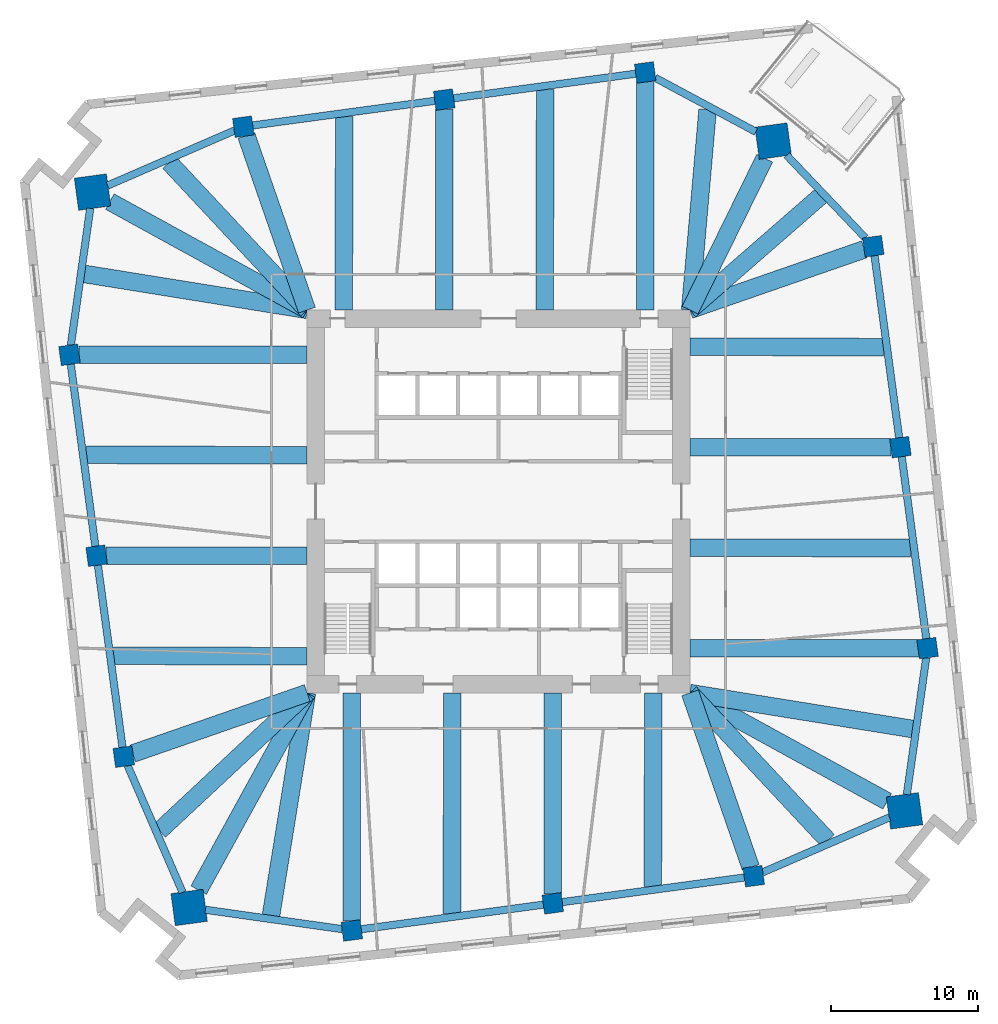
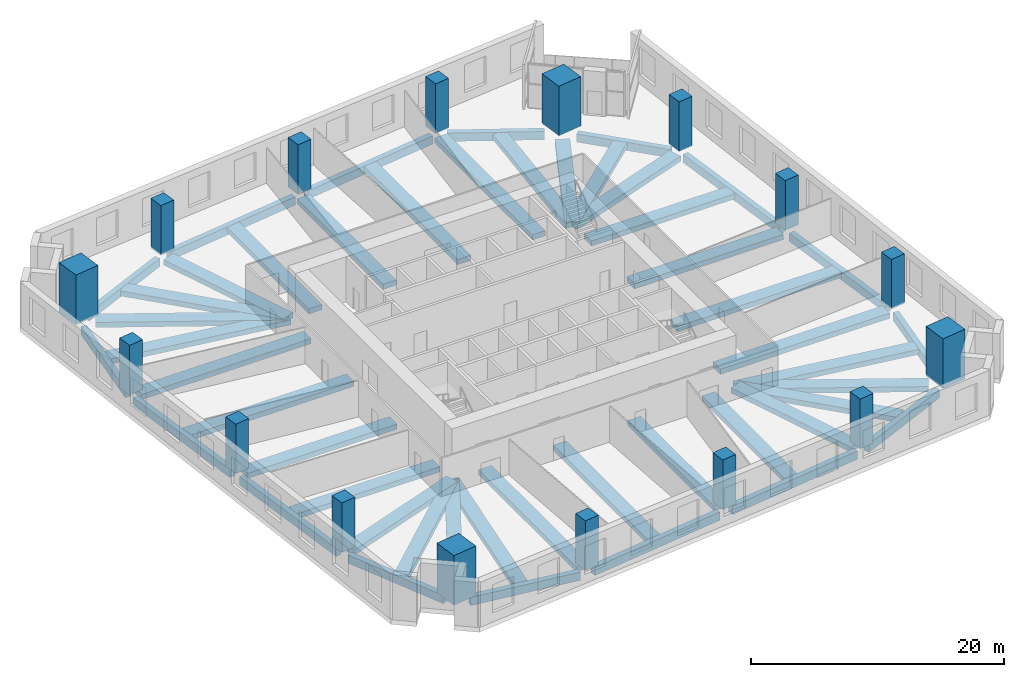
# One storey, part 1 of 10: 48 beams, 16 columns.
"""IFC4 building model written with IfcOpenShell, lengths in metres."""

import ifcopenshell
import ifcopenshell.guid

model = None  # the IFC model being written
_history = None  # IfcOwnerHistory: only IFC2X3 demands one
_inside = {}  # id of a spatial element -> (the spatial element, [elements in it])
_under = {}  # id of a project, library or spatial element -> (it, [spatial elements below it])
_declared = {}  # id of a project -> (the project, [libraries it declares])
_typed = {}  # id of a type object -> (the type object, [elements of that type])
_made_of = {}  # id of a material, layer set ... -> (it, [elements and type objects made of it])


def new_model(schema):
    """Start an empty IFC model of exactly this schema.

    Asked for "IFC4X3", IfcOpenShell would pick the latest addendum, in which some entities
    have other attributes; the version numbers below select the first issue.
    IFC2X3 requires an IfcOwnerHistory on every rooted entity: one is made here for all.
    """
    global model, _history
    if schema == "IFC4X3":
        model = ifcopenshell.file(schema_version=(4, 3, 0, 0))
    else:
        model = ifcopenshell.file(schema=schema)
    _inside.clear()
    _under.clear()
    _declared.clear()
    _typed.clear()
    _made_of.clear()
    _history = None
    if model.schema == "IFC2X3":
        org = make("IfcOrganization", Name="unknown")
        user = make(
            "IfcPersonAndOrganization",
            ThePerson=make("IfcPerson", FamilyName="unknown"),
            TheOrganization=org,
        )
        app = make(
            "IfcApplication",
            ApplicationDeveloper=org,
            Version="unknown",
            ApplicationFullName="unknown",
            ApplicationIdentifier="unknown",
        )
        _history = make(
            "IfcOwnerHistory",
            OwningUser=user,
            OwningApplication=app,
            ChangeAction="ADDED",
            CreationDate=0,
        )
    return model


def make(cls, **values):
    """One entity of the class cls with the attributes given. An attribute that is None is left unset."""
    return model.create_entity(
        cls, **{name: value for name, value in values.items() if value is not None}
    )


def rooted(cls, **values):
    """An entity with a GlobalId (a new one), such as an element, a storey or a relation."""
    return make(cls, GlobalId=ifcopenshell.guid.new(), OwnerHistory=_history, **values)


def si_unit(unit_type, name, prefix=None):
    """IfcSIUnit, for example si_unit("LENGTHUNIT", "METRE", prefix="MILLI")."""
    return make("IfcSIUnit", UnitType=unit_type, Prefix=prefix, Name=name)


def assignment(units):
    """IfcUnitAssignment: the units of a project."""
    return None if units is None else make("IfcUnitAssignment", Units=units)


def point(xyz):
    """IfcCartesianPoint."""
    return None if xyz is None else make("IfcCartesianPoint", Coordinates=xyz)


def direction(xyz):
    """IfcDirection."""
    return None if xyz is None else make("IfcDirection", DirectionRatios=xyz)


def frame(location, z_axis=None, x_axis=None):
    """IfcAxis2Placement3D, a coordinate frame: its origin and axes. An axis left out is left unset."""
    return make(
        "IfcAxis2Placement3D",
        Location=point(location),
        Axis=direction(z_axis),
        RefDirection=direction(x_axis),
    )


def frame_2d(location, x_axis=None):
    """IfcAxis2Placement2D, a coordinate frame in the plane: its origin and x axis."""
    return make(
        "IfcAxis2Placement2D", Location=point(location), RefDirection=direction(x_axis)
    )


def origin():
    """The frame at (0, 0, 0) with its axes left unset."""
    return frame((0.0, 0.0, 0.0))


def origin_2d():
    """The frame at (0, 0) in the plane with its x axis left unset."""
    return frame_2d((0.0, 0.0))


def place(relative_to, where):
    """IfcLocalPlacement: puts the frame where relative to a parent placement (None: the world)."""
    return make(
        "IfcLocalPlacement", PlacementRelTo=relative_to, RelativePlacement=where
    )


def context(
    kind, dimensions, precision=None, world=None, true_north=None, identifier=None
):
    """IfcGeometricRepresentationContext, for example the 3D "Model" context."""
    return make(
        "IfcGeometricRepresentationContext",
        ContextIdentifier=identifier,
        ContextType=kind,
        CoordinateSpaceDimension=dimensions,
        Precision=precision,
        WorldCoordinateSystem=world,
        TrueNorth=true_north,
    )


def subcontext(parent, identifier, kind, view, scale=None):
    """IfcGeometricRepresentationSubContext, for example "Body" below "Model"."""
    return make(
        "IfcGeometricRepresentationSubContext",
        ContextIdentifier=identifier,
        ContextType=kind,
        ParentContext=parent,
        TargetScale=scale,
        TargetView=view,
    )


def project(units=None, contexts=None):
    """IfcProject with its units and contexts."""
    return rooted(
        "IfcProject",
        Name="project",
        RepresentationContexts=contexts,
        UnitsInContext=assignment(units),
    )


def spatial(cls, under=None, at=None, **own):
    """A site, building, storey or space (cls), placed at a placement, below another one or the project."""
    s = rooted(cls, ObjectPlacement=at, **own)
    if under is not None:
        _under.setdefault(under.id(), (under, []))[1].append(s)
    return s


def profile(cls, at=None, kind="AREA", **sizes):
    """A parametric profile (cls). Its sizes go by their IFC names, for example OverallWidth=200.0."""
    return make(cls, ProfileType=kind, Position=at, **sizes)


def rectangle(**sizes):
    """IfcRectangleProfileDef."""
    return profile("IfcRectangleProfileDef", **sizes)


def extrude(swept, where, along, depth):
    """IfcExtrudedAreaSolid: the profile swept, set in the frame where, extruded along a direction by depth."""
    return make(
        "IfcExtrudedAreaSolid",
        SweptArea=swept,
        Position=where,
        ExtrudedDirection=direction(along),
        Depth=depth,
    )


def shape(context_of_items, identifier, shape_type, items):
    """IfcShapeRepresentation: the items that make up one representation, for example the "Body"."""
    return make(
        "IfcShapeRepresentation",
        ContextOfItems=context_of_items,
        RepresentationIdentifier=identifier,
        RepresentationType=shape_type,
        Items=items,
    )


def material(Name=None, Category=None):
    """IfcMaterial."""
    return make("IfcMaterial", Name=Name, Category=Category)


def material_profile(
    of_material, cross_section, Name=None, Category=None, Priority=None
):
    """IfcMaterialProfile: a cross section and its material."""
    return make(
        "IfcMaterialProfile",
        Name=Name,
        Material=of_material,
        Profile=cross_section,
        Priority=Priority,
        Category=Category,
    )


def profile_set(profiles, Name=None, composite=None):
    """IfcMaterialProfileSet."""
    return make(
        "IfcMaterialProfileSet",
        Name=Name,
        MaterialProfiles=profiles,
        CompositeProfile=composite,
    )


def made_of(thing, what):
    """Note that an element or type object is made of a material, layer set ...; save() writes the relation."""
    if what is not None:
        _made_of.setdefault(what.id(), (what, []))[1].append(thing)
    return thing


def type_object(cls, material=None, **own):
    """A type object (cls), such as IfcWallType, which elements share."""
    return made_of(rooted(cls, **own), material)


def element(
    cls,
    number,
    at=None,
    inside=None,
    cuts=None,
    type_object=None,
    material=None,
    context=None,
    identifier="Body",
    shape_type=None,
    held_by="IfcProductDefinitionShape",
    body=None,
    shapes=None,
    **own,
):
    """One element of the class cls, such as IfcWall. Its Tag is "e" and its number.

    at: its placement. inside: the storey or other place that contains it. cuts: it is an
    opening in that element (IfcRelVoidsElement). A single representation is given by context,
    identifier, shape_type and body (its items); several are given by shapes. held_by: the class
    of the entity that holds the representations. save() writes the other relations.
    """
    e = rooted(cls, Tag="e%d" % number, ObjectPlacement=at, **own)
    if body is not None:
        shapes = [shape(context, identifier, shape_type, body)]
    if shapes is not None:
        e.Representation = make(held_by, Representations=shapes)
    if inside is not None:
        _inside.setdefault(inside.id(), (inside, []))[1].append(e)
    if cuts is not None:
        rooted(
            "IfcRelVoidsElement", RelatingBuildingElement=cuts, RelatedOpeningElement=e
        )
    if type_object is not None:
        _typed.setdefault(type_object.id(), (type_object, []))[1].append(e)
    return made_of(e, material)


def aggregate(whole, parts):
    """IfcRelAggregates: a whole, such as a stair, and the parts it consists of."""
    return rooted("IfcRelAggregates", RelatingObject=whole, RelatedObjects=parts)


def save(model, path):
    """Write the relations noted so far, then the file.

    IfcRelAggregates (storeys below a building ...), IfcRelContainedInSpatialStructure (elements
    in a storey), IfcRelDefinesByType, IfcRelAssociatesMaterial and IfcRelDeclares: one each for
    every whole, place, type object, material and project.
    """
    for whole, parts in _under.values():
        aggregate(whole, parts)
    for where, things in _inside.values():
        rooted(
            "IfcRelContainedInSpatialStructure",
            RelatedElements=things,
            RelatingStructure=where,
        )
    for kind, things in _typed.values():
        rooted("IfcRelDefinesByType", RelatedObjects=things, RelatingType=kind)
    for what, things in _made_of.values():
        rooted("IfcRelAssociatesMaterial", RelatedObjects=things, RelatingMaterial=what)
    for by, libraries in _declared.values():
        rooted("IfcRelDeclares", RelatingContext=by, RelatedDefinitions=libraries)
    model.write(path)


model = new_model("IFC4")

# Units and contexts
model_context = context("Model", 3, precision=1e-05, world=origin(), true_north=direction((0.0, 1.0)))
body_context = subcontext(model_context, "Body", "Model", "MODEL_VIEW")
ifc_project = project(units=[si_unit("LENGTHUNIT", "METRE"), si_unit("AREAUNIT", "SQUARE_METRE"), si_unit("VOLUMEUNIT", "CUBIC_METRE"), si_unit("PLANEANGLEUNIT", "RADIAN"), si_unit("MASSUNIT", "GRAM", prefix="KILO")], contexts=[model_context])

# Site, building, storey
site_placement = place(None, origin())
site = spatial("IfcSite", under=ifc_project, at=site_placement, CompositionType="ELEMENT")
building_placement = place(site_placement, origin())
building = spatial("IfcBuilding", under=site, at=building_placement, Name="Dilmun Exchange Tower", CompositionType="ELEMENT")
storey_placement = place(building_placement, frame((0.0, 0.0, 41.699951171875)))
storey = spatial("IfcBuildingStorey", under=building, at=storey_placement, Name="L09", CompositionType="ELEMENT", Elevation=41.699951171875)

# Columns
ifc_material_1 = material(Name="Concrete C80/95", Category="concrete")
ifc_material_profile_1 = material_profile(ifc_material_1, rectangle(XDim=2.199951171875, YDim=2.199951171875, at=origin_2d()), Name="2200 x 2200")
ifc_profile_set_1 = profile_set([ifc_material_profile_1], Name="Concrete C80/95")
column_type_1 = type_object("IfcColumnType", Name="RC mega column 2200 x 2200 C80/95", PredefinedType="COLUMN", material=ifc_profile_set_1)
for number, where, z_axis, x_axis, name in (
    (1, (18.6220703125, 24.43701171875, 0.0), (0.0, 0.0, 1.0), (0.991001197216, 0.133853005627, 0.0), "Mega column M1"),
    (2, (-27.531005859375, 20.97900390625, 0.0), (0.0, 0.0, 1.0), (0.991001197216, 0.133853005627, 0.0), "Mega column M2"),
    (3, (-20.97900390625, -27.531005859375, 0.0), (0.0, 0.0, 1.0), (0.991001197216, 0.133853005627, 0.0), "Mega column M3"),
    (4, (27.531005859375, -20.97900390625, 0.0), (0.0, 0.0, 1.0), (0.991001197216, 0.133853005627, 0.0), "Mega column M4"),
):
    element("IfcColumn", number, at=place(storey_placement, frame(where, z_axis=z_axis, x_axis=x_axis)), inside=storey, type_object=column_type_1, Name=name, PredefinedType="COLUMN", context=body_context, shape_type="SweptSolid", body=[
        extrude(rectangle(XDim=2.199951171875, YDim=2.199951171875, at=origin_2d()), origin(), (0.0, 0.0, 1.0), 4.800048828125),
    ])
ifc_material_profile_2 = material_profile(ifc_material_1, rectangle(XDim=1.300048828125, YDim=1.300048828125, at=origin_2d()), Name="1300 x 1300")
ifc_profile_set_2 = profile_set([ifc_material_profile_2], Name="Concrete C80/95")
column_type_2 = type_object("IfcColumnType", Name="RC ring column 1300 x 1300 C80/95", PredefinedType="COLUMN", material=ifc_profile_set_2)
for number, where, z_axis, x_axis, name in (
    (5, (9.945068359375, 29.093017578125, 0.0), (0.0, 0.0, 1.0), (0.991001197216, 0.133853005627, 0.0), "Ring column R01"),
    (6, (-3.680908203125, 27.2529296875, 0.0), (0.0, 0.0, 1.0), (0.991001197216, 0.133853005627, 0.0), "Ring column R02"),
    (7, (-17.306884765625, 25.412109375, 0.0), (0.0, 0.0, 1.0), (0.991001197216, 0.133853005627, 0.0), "Ring column R03"),
    (8, (-29.093017578125, 9.945068359375, 0.0), (0.0, 0.0, 1.0), (0.991001197216, 0.133853005627, 0.0), "Ring column R04"),
    (9, (-27.2529296875, -3.680908203125, 0.0), (0.0, 0.0, 1.0), (0.991001197216, 0.133853005627, 0.0), "Ring column R05"),
    (10, (-25.412109375, -17.306884765625, 0.0), (0.0, 0.0, 1.0), (0.991001197216, 0.133853005627, 0.0), "Ring column R06"),
    (11, (-9.945068359375, -29.093017578125, 0.0), (0.0, 0.0, 1.0), (0.991001197216, 0.133853005627, 0.0), "Ring column R07"),
    (12, (3.680908203125, -27.2529296875, 0.0), (0.0, 0.0, 1.0), (0.991001197216, 0.133853005627, 0.0), "Ring column R08"),
    (13, (17.306884765625, -25.412109375, 0.0), (0.0, 0.0, 1.0), (0.991001197216, 0.133853005627, 0.0), "Ring column R09"),
    (14, (29.093017578125, -9.945068359375, 0.0), (0.0, 0.0, 1.0), (0.991001197216, 0.133853005627, 0.0), "Ring column R10"),
    (15, (27.2529296875, 3.680908203125, 0.0), (0.0, 0.0, 1.0), (0.991001197216, 0.133853005627, 0.0), "Ring column R11"),
    (16, (25.412109375, 17.306884765625, 0.0), (0.0, 0.0, 1.0), (0.991001197216, 0.133853005627, 0.0), "Ring column R12"),
):
    element("IfcColumn", number, at=place(storey_placement, frame(where, z_axis=z_axis, x_axis=x_axis)), inside=storey, type_object=column_type_2, Name=name, PredefinedType="COLUMN", context=body_context, shape_type="SweptSolid", body=[
        extrude(rectangle(XDim=1.300048828125, YDim=1.300048828125, at=origin_2d()), origin(), (0.0, 0.0, 1.0), 4.800048828125),
    ])

# Beams
ifc_material_2 = material(Name="Concrete C40/50", Category="concrete")
ifc_material_profile_3 = material_profile(ifc_material_2, rectangle(XDim=1.199951171875, YDim=0.5, at=origin_2d()), Name="1200 x 500")
ifc_profile_set_3 = profile_set([ifc_material_profile_3], Name="Concrete C40/50")
beam_type_1 = type_object("IfcBeamType", Name="RC band beam 1200 x 500 C40/50", PredefinedType="BEAM", material=ifc_profile_set_3)
beam_1_placement = place(storey_placement, frame((18.049560546875, 23.272216796875, -0.699951171875), z_axis=(-0.44116009834, -0.897428419225, 0.0), x_axis=(0.897428419225, -0.44116009834, 0.0)))
element("IfcBeam", 17, at=beam_1_placement, inside=storey, type_object=beam_type_1, Name="Band beam 1", PredefinedType="BEAM", context=body_context, shape_type="SweptSolid", body=[
    extrude(rectangle(XDim=1.199951171875, YDim=0.5, at=origin_2d()), origin(), (0.0, 0.0, 1.0), 11.47314453125),
])
beam_2_placement = place(storey_placement, frame((9.945068359375, 28.464111328125, -0.699951171875), z_axis=(0.0, -1.0, 0.0), x_axis=(1.0, 0.0, 0.0)))
element("IfcBeam", 18, at=beam_2_placement, inside=storey, type_object=beam_type_1, Name="Band beam 2", PredefinedType="BEAM", context=body_context, shape_type="SweptSolid", body=[
    extrude(rectangle(XDim=1.199951171875, YDim=0.5, at=origin_2d()), origin(), (0.0, 0.0, 1.0), 15.4912109375),
])
beam_3_placement = place(storey_placement, frame((-3.680908203125, 26.6240234375, -0.699951171875), z_axis=(0.0, -1.0, 0.0), x_axis=(1.0, 0.0, 0.0)))
element("IfcBeam", 19, at=beam_3_placement, inside=storey, type_object=beam_type_1, Name="Band beam 3", PredefinedType="BEAM", context=body_context, shape_type="SweptSolid", body=[
    extrude(rectangle(XDim=1.199951171875, YDim=0.5, at=origin_2d()), origin(), (0.0, 0.0, 1.0), 13.651123046875),
])
beam_4_placement = place(storey_placement, frame((-17.098388671875, 24.81103515625, -0.699951171875), z_axis=(0.327819910959, -0.94474023201, 0.0), x_axis=(0.94474023201, 0.327819910959, 0.0)))
element("IfcBeam", 20, at=beam_4_placement, inside=storey, type_object=beam_type_1, Name="Band beam 4", PredefinedType="BEAM", context=body_context, shape_type="SweptSolid", body=[
    extrude(rectangle(XDim=1.199951171875, YDim=0.5, at=origin_2d()), origin(), (0.0, 0.0, 1.0), 12.52880859375),
])
beam_5_placement = place(storey_placement, frame((-26.355712890625, 20.333740234375, -0.699951171875), z_axis=(0.876547324806, -0.481315683699, 0.0), x_axis=(0.481315683699, 0.876547324806, 0.0)))
element("IfcBeam", 21, at=beam_5_placement, inside=storey, type_object=beam_type_1, Name="Band beam 5", PredefinedType="BEAM", context=body_context, shape_type="SweptSolid", body=[
    extrude(rectangle(XDim=1.199951171875, YDim=0.5, at=origin_2d()), origin(), (0.0, 0.0, 1.0), 15.263671875),
])
beam_6_placement = place(storey_placement, frame((-28.464111328125, 9.945068359375, -0.699951171875), z_axis=(1.0, 0.0, 0.0), x_axis=(0.0, 1.0, 0.0)))
element("IfcBeam", 22, at=beam_6_placement, inside=storey, type_object=beam_type_1, Name="Band beam 6", PredefinedType="BEAM", context=body_context, shape_type="SweptSolid", body=[
    extrude(rectangle(XDim=1.199951171875, YDim=0.5, at=origin_2d()), origin(), (0.0, 0.0, 1.0), 15.4912109375),
])
beam_7_placement = place(storey_placement, frame((-26.6240234375, -3.680908203125, -0.699951171875), z_axis=(1.0, 0.0, 0.0), x_axis=(0.0, 1.0, 0.0)))
element("IfcBeam", 23, at=beam_7_placement, inside=storey, type_object=beam_type_1, Name="Band beam 7", PredefinedType="BEAM", context=body_context, shape_type="SweptSolid", body=[
    extrude(rectangle(XDim=1.199951171875, YDim=0.5, at=origin_2d()), origin(), (0.0, 0.0, 1.0), 13.651123046875),
])
beam_8_placement = place(storey_placement, frame((-24.81103515625, -17.098388671875, -0.699951171875), z_axis=(0.94474023201, 0.327819910959, 0.0), x_axis=(-0.327819910959, 0.94474023201, 0.0)))
element("IfcBeam", 24, at=beam_8_placement, inside=storey, type_object=beam_type_1, Name="Band beam 8", PredefinedType="BEAM", context=body_context, shape_type="SweptSolid", body=[
    extrude(rectangle(XDim=1.199951171875, YDim=0.5, at=origin_2d()), origin(), (0.0, 0.0, 1.0), 12.52880859375),
])
beam_9_placement = place(storey_placement, frame((-20.333740234375, -26.355712890625, -0.699951171875), z_axis=(0.481315683699, 0.876547324806, 0.0), x_axis=(-0.876547324806, 0.481315683699, 0.0)))
element("IfcBeam", 25, at=beam_9_placement, inside=storey, type_object=beam_type_1, Name="Band beam 9", PredefinedType="BEAM", context=body_context, shape_type="SweptSolid", body=[
    extrude(rectangle(XDim=1.199951171875, YDim=0.5, at=origin_2d()), origin(), (0.0, 0.0, 1.0), 15.263671875),
])
beam_10_placement = place(storey_placement, frame((-9.945068359375, -28.464111328125, -0.699951171875), z_axis=(0.0, 1.0, 0.0), x_axis=(-1.0, 0.0, 0.0)))
element("IfcBeam", 26, at=beam_10_placement, inside=storey, type_object=beam_type_1, Name="Band beam 10", PredefinedType="BEAM", context=body_context, shape_type="SweptSolid", body=[
    extrude(rectangle(XDim=1.199951171875, YDim=0.5, at=origin_2d()), origin(), (0.0, 0.0, 1.0), 15.4912109375),
])
beam_11_placement = place(storey_placement, frame((3.680908203125, -26.6240234375, -0.699951171875), z_axis=(0.0, 1.0, 0.0), x_axis=(-1.0, 0.0, 0.0)))
element("IfcBeam", 27, at=beam_11_placement, inside=storey, type_object=beam_type_1, Name="Band beam 11", PredefinedType="BEAM", context=body_context, shape_type="SweptSolid", body=[
    extrude(rectangle(XDim=1.199951171875, YDim=0.5, at=origin_2d()), origin(), (0.0, 0.0, 1.0), 13.651123046875),
])
beam_12_placement = place(storey_placement, frame((17.098388671875, -24.81103515625, -0.699951171875), z_axis=(-0.327819910959, 0.94474023201, 0.0), x_axis=(-0.94474023201, -0.327819910959, 0.0)))
element("IfcBeam", 28, at=beam_12_placement, inside=storey, type_object=beam_type_1, Name="Band beam 12", PredefinedType="BEAM", context=body_context, shape_type="SweptSolid", body=[
    extrude(rectangle(XDim=1.199951171875, YDim=0.5, at=origin_2d()), origin(), (0.0, 0.0, 1.0), 12.52880859375),
])
beam_13_placement = place(storey_placement, frame((26.355712890625, -20.333740234375, -0.699951171875), z_axis=(-0.876547324806, 0.481315683699, 0.0), x_axis=(-0.481315683699, -0.876547324806, 0.0)))
element("IfcBeam", 29, at=beam_13_placement, inside=storey, type_object=beam_type_1, Name="Band beam 13", PredefinedType="BEAM", context=body_context, shape_type="SweptSolid", body=[
    extrude(rectangle(XDim=1.199951171875, YDim=0.5, at=origin_2d()), origin(), (0.0, 0.0, 1.0), 15.263671875),
])
beam_14_placement = place(storey_placement, frame((28.464111328125, -9.945068359375, -0.699951171875), z_axis=(-1.0, 0.0, 0.0), x_axis=(0.0, -1.0, 0.0)))
element("IfcBeam", 30, at=beam_14_placement, inside=storey, type_object=beam_type_1, Name="Band beam 14", PredefinedType="BEAM", context=body_context, shape_type="SweptSolid", body=[
    extrude(rectangle(XDim=1.199951171875, YDim=0.5, at=origin_2d()), origin(), (0.0, 0.0, 1.0), 15.4912109375),
])
beam_15_placement = place(storey_placement, frame((26.6240234375, 3.680908203125, -0.699951171875), z_axis=(-1.0, 0.0, 0.0), x_axis=(0.0, -1.0, 0.0)))
element("IfcBeam", 31, at=beam_15_placement, inside=storey, type_object=beam_type_1, Name="Band beam 15", PredefinedType="BEAM", context=body_context, shape_type="SweptSolid", body=[
    extrude(rectangle(XDim=1.199951171875, YDim=0.5, at=origin_2d()), origin(), (0.0, 0.0, 1.0), 13.651123046875),
])
beam_16_placement = place(storey_placement, frame((24.81103515625, 17.098388671875, -0.699951171875), z_axis=(-0.94474023201, -0.327819910959, 0.0), x_axis=(0.327819910959, -0.94474023201, 0.0)))
element("IfcBeam", 32, at=beam_16_placement, inside=storey, type_object=beam_type_1, Name="Band beam 16", PredefinedType="BEAM", context=body_context, shape_type="SweptSolid", body=[
    extrude(rectangle(XDim=1.199951171875, YDim=0.5, at=origin_2d()), origin(), (0.0, 0.0, 1.0), 12.52880859375),
])
beam_17_placement = place(storey_placement, frame((14.177978515625, 26.568603515625, -0.699951171875), z_axis=(-0.086499148019, -0.996251924662, 0.0), x_axis=(0.996251924662, -0.086499148019, 0.0)))
element("IfcBeam", 33, at=beam_17_placement, inside=storey, type_object=beam_type_1, Name="Band beam 17", PredefinedType="BEAM", context=body_context, shape_type="SweptSolid", body=[
    extrude(rectangle(XDim=1.199951171875, YDim=0.5, at=origin_2d()), origin(), (0.0, 0.0, 1.0), 13.646728515625),
])
beam_18_placement = place(storey_placement, frame((3.161865234375, 27.951904296875, -0.699951171875), z_axis=(-0.001988456479, -0.999998023018, 0.0), x_axis=(0.999998023018, -0.001988456479, 0.0)))
element("IfcBeam", 34, at=beam_18_placement, inside=storey, type_object=beam_type_1, Name="Band beam 18", PredefinedType="BEAM", context=body_context, shape_type="SweptSolid", body=[
    extrude(rectangle(XDim=1.199951171875, YDim=0.5, at=origin_2d()), origin(), (0.0, 0.0, 1.0), 14.97900390625),
])
beam_19_placement = place(storey_placement, frame((-10.464111328125, 26.111572265625, -0.699951171875), z_axis=(-0.002266977971, -0.999997430402, 0.0), x_axis=(0.999997430402, -0.002266977971, 0.0)))
element("IfcBeam", 35, at=beam_19_placement, inside=storey, type_object=beam_type_1, Name="Band beam 19", PredefinedType="BEAM", context=body_context, shape_type="SweptSolid", body=[
    extrude(rectangle(XDim=1.199951171875, YDim=0.5, at=origin_2d()), origin(), (0.0, 0.0, 1.0), 13.138671875),
])
beam_20_placement = place(storey_placement, frame((-22.330322265625, 22.990966796875, -0.699951171875), z_axis=(0.682523984798, -0.730863195253, 0.0), x_axis=(0.730863195253, 0.682523984798, 0.0)))
element("IfcBeam", 36, at=beam_20_placement, inside=storey, type_object=beam_type_1, Name="Band beam 20", PredefinedType="BEAM", context=body_context, shape_type="SweptSolid", body=[
    extrude(rectangle(XDim=1.199951171875, YDim=0.5, at=origin_2d()), origin(), (0.0, 0.0, 1.0), 13.697265625),
])
beam_21_placement = place(storey_placement, frame((-28.09130859375, 15.4306640625, -0.699951171875), z_axis=(0.98727513595, -0.159021400868, 0.0), x_axis=(0.159021400868, 0.98727513595, 0.0)))
element("IfcBeam", 37, at=beam_21_placement, inside=storey, type_object=beam_type_1, Name="Band beam 21", PredefinedType="BEAM", context=body_context, shape_type="SweptSolid", body=[
    extrude(rectangle(XDim=1.199951171875, YDim=0.5, at=origin_2d()), origin(), (0.0, 0.0, 1.0), 15.312744140625),
])
beam_22_placement = place(storey_placement, frame((-27.951904296875, 3.161865234375, -0.699951171875), z_axis=(0.999998023018, -0.001988456479, 0.0), x_axis=(0.001988456479, 0.999998023018, 0.0)))
element("IfcBeam", 38, at=beam_22_placement, inside=storey, type_object=beam_type_1, Name="Band beam 22", PredefinedType="BEAM", context=body_context, shape_type="SweptSolid", body=[
    extrude(rectangle(XDim=1.199951171875, YDim=0.5, at=origin_2d()), origin(), (0.0, 0.0, 1.0), 14.97900390625),
])
beam_23_placement = place(storey_placement, frame((-26.111572265625, -10.464111328125, -0.699951171875), z_axis=(0.999997430402, -0.002266977971, 0.0), x_axis=(0.002266977971, 0.999997430402, 0.0)))
element("IfcBeam", 39, at=beam_23_placement, inside=storey, type_object=beam_type_1, Name="Band beam 23", PredefinedType="BEAM", context=body_context, shape_type="SweptSolid", body=[
    extrude(rectangle(XDim=1.199951171875, YDim=0.5, at=origin_2d()), origin(), (0.0, 0.0, 1.0), 13.138671875),
])
beam_24_placement = place(storey_placement, frame((-22.990966796875, -22.330322265625, -0.699951171875), z_axis=(0.730863195253, 0.682523984798, 0.0), x_axis=(-0.682523984798, 0.730863195253, 0.0)))
element("IfcBeam", 40, at=beam_24_placement, inside=storey, type_object=beam_type_1, Name="Band beam 24", PredefinedType="BEAM", context=body_context, shape_type="SweptSolid", body=[
    extrude(rectangle(XDim=1.199951171875, YDim=0.5, at=origin_2d()), origin(), (0.0, 0.0, 1.0), 13.697265625),
])
beam_25_placement = place(storey_placement, frame((-15.4306640625, -28.09130859375, -0.699951171875), z_axis=(0.159021400868, 0.98727513595, 0.0), x_axis=(-0.98727513595, 0.159021400868, 0.0)))
element("IfcBeam", 41, at=beam_25_placement, inside=storey, type_object=beam_type_1, Name="Band beam 25", PredefinedType="BEAM", context=body_context, shape_type="SweptSolid", body=[
    extrude(rectangle(XDim=1.199951171875, YDim=0.5, at=origin_2d()), origin(), (0.0, 0.0, 1.0), 15.312744140625),
])
beam_26_placement = place(storey_placement, frame((-3.161865234375, -27.951904296875, -0.699951171875), z_axis=(0.001988456479, 0.999998023018, 0.0), x_axis=(-0.999998023018, 0.001988456479, 0.0)))
element("IfcBeam", 42, at=beam_26_placement, inside=storey, type_object=beam_type_1, Name="Band beam 26", PredefinedType="BEAM", context=body_context, shape_type="SweptSolid", body=[
    extrude(rectangle(XDim=1.199951171875, YDim=0.5, at=origin_2d()), origin(), (0.0, 0.0, 1.0), 14.97900390625),
])
beam_27_placement = place(storey_placement, frame((10.464111328125, -26.111572265625, -0.699951171875), z_axis=(0.002266977971, 0.999997430402, 0.0), x_axis=(-0.999997430402, 0.002266977971, 0.0)))
element("IfcBeam", 43, at=beam_27_placement, inside=storey, type_object=beam_type_1, Name="Band beam 27", PredefinedType="BEAM", context=body_context, shape_type="SweptSolid", body=[
    extrude(rectangle(XDim=1.199951171875, YDim=0.5, at=origin_2d()), origin(), (0.0, 0.0, 1.0), 13.138671875),
])
beam_28_placement = place(storey_placement, frame((22.330322265625, -22.990966796875, -0.699951171875), z_axis=(-0.682523984798, 0.730863195253, 0.0), x_axis=(-0.730863195253, -0.682523984798, 0.0)))
element("IfcBeam", 44, at=beam_28_placement, inside=storey, type_object=beam_type_1, Name="Band beam 28", PredefinedType="BEAM", context=body_context, shape_type="SweptSolid", body=[
    extrude(rectangle(XDim=1.199951171875, YDim=0.5, at=origin_2d()), origin(), (0.0, 0.0, 1.0), 13.697265625),
])
beam_29_placement = place(storey_placement, frame((28.09130859375, -15.4306640625, -0.699951171875), z_axis=(-0.98727513595, 0.159021400868, 0.0), x_axis=(-0.159021400868, -0.98727513595, 0.0)))
element("IfcBeam", 45, at=beam_29_placement, inside=storey, type_object=beam_type_1, Name="Band beam 29", PredefinedType="BEAM", context=body_context, shape_type="SweptSolid", body=[
    extrude(rectangle(XDim=1.199951171875, YDim=0.5, at=origin_2d()), origin(), (0.0, 0.0, 1.0), 15.312744140625),
])
beam_30_placement = place(storey_placement, frame((27.951904296875, -3.161865234375, -0.699951171875), z_axis=(-0.999998023018, 0.001988456479, 0.0), x_axis=(-0.001988456479, -0.999998023018, 0.0)))
element("IfcBeam", 46, at=beam_30_placement, inside=storey, type_object=beam_type_1, Name="Band beam 30", PredefinedType="BEAM", context=body_context, shape_type="SweptSolid", body=[
    extrude(rectangle(XDim=1.199951171875, YDim=0.5, at=origin_2d()), origin(), (0.0, 0.0, 1.0), 14.97900390625),
])
beam_31_placement = place(storey_placement, frame((26.111572265625, 10.464111328125, -0.699951171875), z_axis=(-0.999997430402, 0.002266977971, 0.0), x_axis=(-0.002266977971, -0.999997430402, 0.0)))
element("IfcBeam", 47, at=beam_31_placement, inside=storey, type_object=beam_type_1, Name="Band beam 31", PredefinedType="BEAM", context=body_context, shape_type="SweptSolid", body=[
    extrude(rectangle(XDim=1.199951171875, YDim=0.5, at=origin_2d()), origin(), (0.0, 0.0, 1.0), 13.138671875),
])
beam_32_placement = place(storey_placement, frame((21.85546875, 20.71826171875, -0.699951171875), z_axis=(-0.75384567582, -0.657051517803, 0.0), x_axis=(0.657051517803, -0.75384567582, 0.0)))
element("IfcBeam", 48, at=beam_32_placement, inside=storey, type_object=beam_type_1, Name="Band beam 32", PredefinedType="BEAM", context=body_context, shape_type="SweptSolid", body=[
    extrude(rectangle(XDim=1.199951171875, YDim=0.5, at=origin_2d()), origin(), (0.0, 0.0, 1.0), 11.77392578125),
])
ifc_material_profile_4 = material_profile(ifc_material_2, rectangle(XDim=0.5, YDim=0.800048828125, at=origin_2d()), Name="500 x 800")
ifc_profile_set_4 = profile_set([ifc_material_profile_4], Name="Concrete C40/50")
beam_type_2 = type_object("IfcBeamType", Name="RC ring beam 500 x 800 C40/50", PredefinedType="SPANDREL", material=ifc_profile_set_4)
beam_33_placement = place(storey_placement, frame((17.44921875, 25.06640625, -0.849853515625), z_axis=(-0.881161870548, 0.472814718354, 0.0), x_axis=(-0.472814718354, -0.881161870548, 0.0)))
element("IfcBeam", 49, at=beam_33_placement, inside=storey, type_object=beam_type_2, Name="Ring beam 1", PredefinedType="SPANDREL", context=body_context, shape_type="SweptSolid", body=[
    extrude(rectangle(XDim=0.5, YDim=0.800048828125, at=origin_2d()), origin(), (0.0, 0.0, 1.0), 7.74072265625),
])
for number, where, z_axis, x_axis, name in (
    (50, (9.32763671875, 29.009521484375, -0.849853515625), (-0.991007411355, -0.133806990248, 0.0), (0.133806990248, -0.991007411355, 0.0), "Ring beam 2"),
    (51, (-4.29833984375, 27.169677734375, -0.849853515625), (-0.990994461239, -0.133902867012, 0.0), (0.133902867012, -0.990994461239, 0.0), "Ring beam 3"),
):
    element("IfcBeam", number, at=place(storey_placement, frame(where, z_axis=z_axis, x_axis=x_axis)), inside=storey, type_object=beam_type_2, Name=name, PredefinedType="SPANDREL", context=body_context, shape_type="SweptSolid", body=[
        extrude(rectangle(XDim=0.5, YDim=0.800048828125, at=origin_2d()), origin(), (0.0, 0.0, 1.0), 12.50390625),
    ])
beam_34_placement = place(storey_placement, frame((-17.90185546875, 25.154052734375, -0.849853515625), z_axis=(-0.917467286901, -0.397811233459, 0.0), x_axis=(0.397811233459, -0.917467286901, 0.0)))
element("IfcBeam", 52, at=beam_34_placement, inside=storey, type_object=beam_type_2, Name="Ring beam 4", PredefinedType="SPANDREL", context=body_context, shape_type="SweptSolid", body=[
    extrude(rectangle(XDim=0.5, YDim=0.800048828125, at=origin_2d()), origin(), (0.0, 0.0, 1.0), 9.37939453125),
])
beam_35_placement = place(storey_placement, frame((-27.6875, 19.8740234375, -0.849853515625), z_axis=(-0.140164060375, -0.990128292788, 0.0), x_axis=(0.990128292788, -0.140164060375, 0.0)))
element("IfcBeam", 53, at=beam_35_placement, inside=storey, type_object=beam_type_2, Name="Ring beam 5", PredefinedType="SPANDREL", context=body_context, shape_type="SweptSolid", body=[
    extrude(rectangle(XDim=0.5, YDim=0.800048828125, at=origin_2d()), origin(), (0.0, 0.0, 1.0), 9.379638671875),
])
for number, where, z_axis, x_axis, name in (
    (54, (-29.009521484375, 9.32763671875, -0.849853515625), (0.133806990248, -0.991007411355, 0.0), (0.991007411355, 0.133806990248, 0.0), "Ring beam 6"),
    (55, (-27.169677734375, -4.29833984375, -0.849853515625), (0.133902867012, -0.990994461239, 0.0), (0.990994461239, 0.133902867012, 0.0), "Ring beam 7"),
):
    element("IfcBeam", number, at=place(storey_placement, frame(where, z_axis=z_axis, x_axis=x_axis)), inside=storey, type_object=beam_type_2, Name=name, PredefinedType="SPANDREL", context=body_context, shape_type="SweptSolid", body=[
        extrude(rectangle(XDim=0.5, YDim=0.800048828125, at=origin_2d()), origin(), (0.0, 0.0, 1.0), 12.50390625),
    ])
beam_36_placement = place(storey_placement, frame((-25.154052734375, -17.90185546875, -0.849853515625), z_axis=(0.397811233459, -0.917467286901, 0.0), x_axis=(0.917467286901, 0.397811233459, 0.0)))
element("IfcBeam", 56, at=beam_36_placement, inside=storey, type_object=beam_type_2, Name="Ring beam 8", PredefinedType="SPANDREL", context=body_context, shape_type="SweptSolid", body=[
    extrude(rectangle(XDim=0.5, YDim=0.800048828125, at=origin_2d()), origin(), (0.0, 0.0, 1.0), 9.37939453125),
])
beam_37_placement = place(storey_placement, frame((-19.8740234375, -27.6875, -0.849853515625), z_axis=(0.990128292788, -0.140164060375, 0.0), x_axis=(0.140164060375, 0.990128292788, 0.0)))
element("IfcBeam", 57, at=beam_37_placement, inside=storey, type_object=beam_type_2, Name="Ring beam 9", PredefinedType="SPANDREL", context=body_context, shape_type="SweptSolid", body=[
    extrude(rectangle(XDim=0.5, YDim=0.800048828125, at=origin_2d()), origin(), (0.0, 0.0, 1.0), 9.379638671875),
])
for number, where, z_axis, x_axis, name in (
    (58, (-9.32763671875, -29.009521484375, -0.849853515625), (0.991007411355, 0.133806990248, 0.0), (-0.133806990248, 0.991007411355, 0.0), "Ring beam 10"),
    (59, (4.29833984375, -27.169677734375, -0.849853515625), (0.990994461239, 0.133902867012, 0.0), (-0.133902867012, 0.990994461239, 0.0), "Ring beam 11"),
):
    element("IfcBeam", number, at=place(storey_placement, frame(where, z_axis=z_axis, x_axis=x_axis)), inside=storey, type_object=beam_type_2, Name=name, PredefinedType="SPANDREL", context=body_context, shape_type="SweptSolid", body=[
        extrude(rectangle(XDim=0.5, YDim=0.800048828125, at=origin_2d()), origin(), (0.0, 0.0, 1.0), 12.50390625),
    ])
beam_38_placement = place(storey_placement, frame((17.90185546875, -25.154052734375, -0.849853515625), z_axis=(0.917467286901, 0.397811233459, 0.0), x_axis=(-0.397811233459, 0.917467286901, 0.0)))
element("IfcBeam", 60, at=beam_38_placement, inside=storey, type_object=beam_type_2, Name="Ring beam 12", PredefinedType="SPANDREL", context=body_context, shape_type="SweptSolid", body=[
    extrude(rectangle(XDim=0.5, YDim=0.800048828125, at=origin_2d()), origin(), (0.0, 0.0, 1.0), 9.37939453125),
])
beam_39_placement = place(storey_placement, frame((27.6875, -19.8740234375, -0.849853515625), z_axis=(0.140164060375, 0.990128292788, 0.0), x_axis=(-0.990128292788, 0.140164060375, 0.0)))
element("IfcBeam", 61, at=beam_39_placement, inside=storey, type_object=beam_type_2, Name="Ring beam 13", PredefinedType="SPANDREL", context=body_context, shape_type="SweptSolid", body=[
    extrude(rectangle(XDim=0.5, YDim=0.800048828125, at=origin_2d()), origin(), (0.0, 0.0, 1.0), 9.379638671875),
])
for number, where, z_axis, x_axis, name in (
    (62, (29.009521484375, -9.32763671875, -0.849853515625), (-0.133806990248, 0.991007411355, 0.0), (-0.991007411355, -0.133806990248, 0.0), "Ring beam 14"),
    (63, (27.169677734375, 4.29833984375, -0.849853515625), (-0.133902867012, 0.990994461239, 0.0), (-0.990994461239, -0.133902867012, 0.0), "Ring beam 15"),
):
    element("IfcBeam", number, at=place(storey_placement, frame(where, z_axis=z_axis, x_axis=x_axis)), inside=storey, type_object=beam_type_2, Name=name, PredefinedType="SPANDREL", context=body_context, shape_type="SweptSolid", body=[
        extrude(rectangle(XDim=0.5, YDim=0.800048828125, at=origin_2d()), origin(), (0.0, 0.0, 1.0), 12.50390625),
    ])
beam_40_placement = place(storey_placement, frame((24.877197265625, 17.86865234375, -0.849853515625), z_axis=(-0.689624451134, 0.724167188154, 0.0), x_axis=(-0.724167188154, -0.689624451134, 0.0)))
element("IfcBeam", 64, at=beam_40_placement, inside=storey, type_object=beam_type_2, Name="Ring beam 16", PredefinedType="SPANDREL", context=body_context, shape_type="SweptSolid", body=[
    extrude(rectangle(XDim=0.5, YDim=0.800048828125, at=origin_2d()), origin(), (0.0, 0.0, 1.0), 7.7392578125),
])

save(model, "model.ifc")
